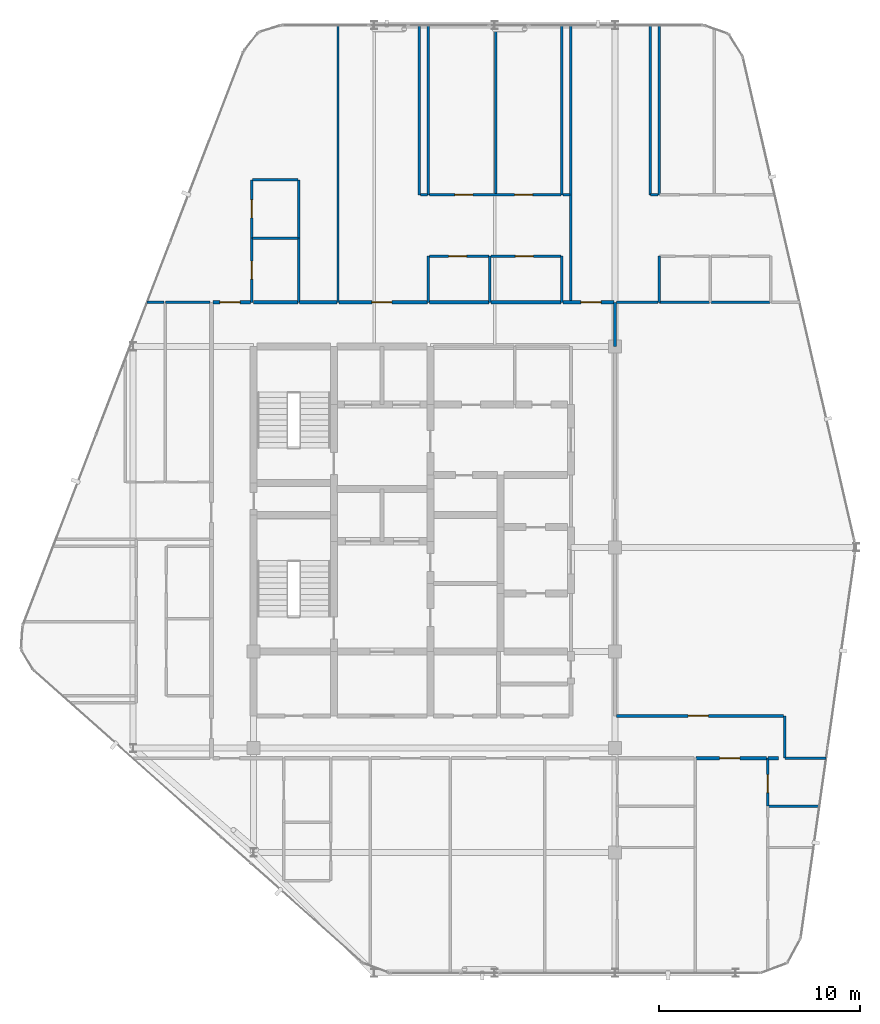
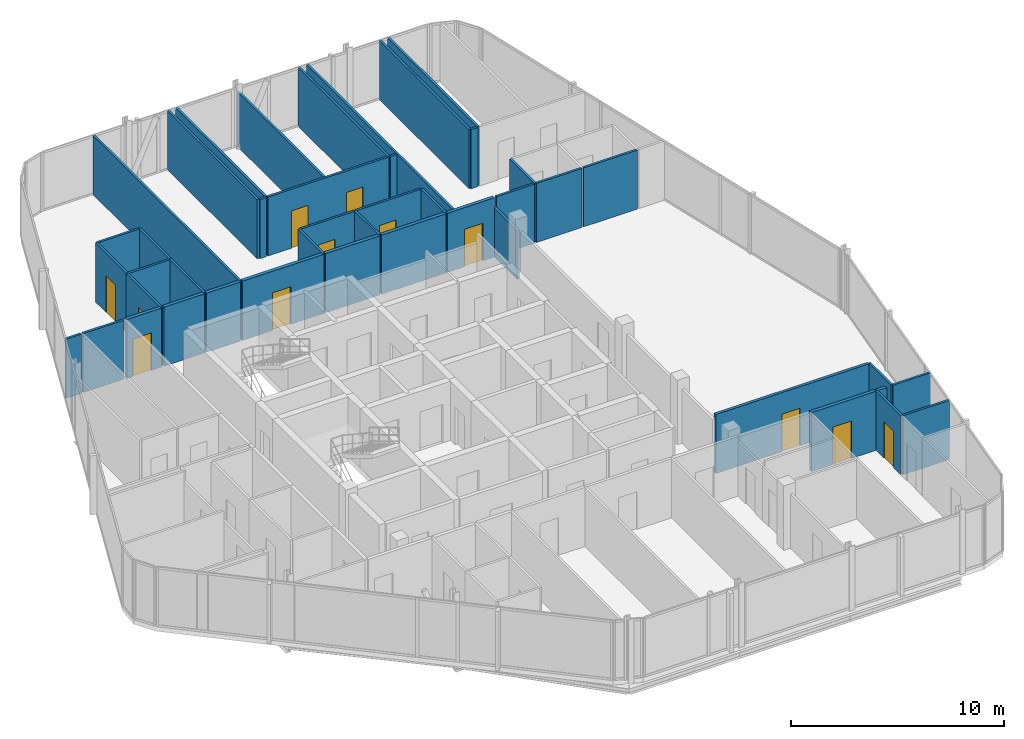
# One storey, part 25 of 27: 44 walls, 12 doors, 12 openings.
"""IFC4 building model written with IfcOpenShell, lengths in metres."""

from ifc_helpers import new_model, si_unit, direction, frame, frame_2d, origin, place, context, subcontext, project, spatial, rectangle, extrude, material, layer, layer_set, type_object, element, fill, save


model = new_model("IFC4")

# Units and contexts
model_context = context("Model", 3, precision=1e-05, world=origin(), true_north=direction((0.0, 1.0)))
body_context = subcontext(model_context, "Body", "Model", "MODEL_VIEW")
ifc_project = project(units=[si_unit("LENGTHUNIT", "METRE"), si_unit("AREAUNIT", "SQUARE_METRE"), si_unit("VOLUMEUNIT", "CUBIC_METRE"), si_unit("PLANEANGLEUNIT", "RADIAN"), si_unit("MASSUNIT", "GRAM", prefix="KILO")], contexts=[model_context])

# Site, building, storey
site_placement = place(None, origin())
site = spatial("IfcSite", under=ifc_project, at=site_placement, CompositionType="ELEMENT")
building_placement = place(site_placement, origin())
building = spatial("IfcBuilding", under=site, at=building_placement, Name="Keshet Zoharim Tower", CompositionType="ELEMENT")
storey_placement = place(building_placement, frame((0.0, 0.0, 288.0)))
storey = spatial("IfcBuildingStorey", under=building, at=storey_placement, Name="L72", CompositionType="ELEMENT", Elevation=288.0)

# Wall, opening, door
ifc_material_1 = material(Name="Gypsum Plasterboard", Category="gypsum")
ifc_layer_1 = layer(ifc_material_1, 0.14990234375)
ifc_layer_set_1 = layer_set([ifc_layer_1], Name="Gypsum Plasterboard")
wall_type_1 = type_object("IfcWallType", Name="WL-CLIN-150", PredefinedType="STANDARD", material=ifc_layer_set_1)
wall_1_placement = place(storey_placement, frame((33.06005859375, 19.5, 0.0), z_axis=(0.0, 0.0, 1.0), x_axis=(1.0, 0.0, 0.0)))
wall_1 = element("IfcWall", 1, at=wall_1_placement, inside=storey, type_object=wall_type_1, Name="L72 Interior Wall 104", PredefinedType="STANDARD", context=body_context, shape_type="SweptSolid", body=[
    extrude(rectangle(XDim=8.322998046875, YDim=0.14990234375, at=frame_2d((4.16162109375, 0.0))), origin(), (0.0, 0.0, 1.0), 3.389892578125),
])
opening_1_placement = place(wall_1_placement, frame((3.5830078125, 0.0, 0.0)))
opening_1 = element("IfcOpeningElement", 2, at=opening_1_placement, cuts=wall_1, Name="Opening D-F310", PredefinedType="OPENING", context=body_context, shape_type="SweptSolid", body=[
    extrude(rectangle(XDim=1.0, YDim=2.14990234375, at=frame_2d((0.5, 1.074951171875))), frame((0.0, 0.0849609375, 0.0), z_axis=(0.0, -1.0, 0.0), x_axis=(1.0, 0.0, 0.0)), (0.0, 0.0, 1.0), 0.169921875),
])
ifc_material_2 = material(Name="Hardwood Timber", Category="wood")
door_type_1 = type_object("IfcDoorType", Name="DR-FD30-100", OperationType="NOTDEFINED", PredefinedType="DOOR", material=ifc_material_2)
door_1_placement = place(opening_1_placement, origin())
door_1 = element("IfcDoor", 3, at=door_1_placement, inside=storey, type_object=door_type_1, Name="L72 North West Residents Services Suite Door 2", OperationType="SINGLE_SWING_LEFT", OverallHeight=2.14990234375, OverallWidth=1.0, PredefinedType="DOOR", context=body_context, shape_type="SweptSolid", body=[
    extrude(rectangle(XDim=1.0, YDim=2.14990234375, at=frame_2d((0.5, 1.074951171875))), frame((0.0, 0.02490234375, 0.0), z_axis=(0.0, -1.0, 0.0), x_axis=(1.0, 0.0, 0.0)), (0.0, 0.0, 1.0), 0.050048828125),
])
fill(opening_1, door_1)

# Wall
wall_2_placement = place(storey_placement, frame((33.0, 37.89990234375, 0.0), z_axis=(0.0, 0.0, 1.0), x_axis=(0.0, 1.0, 0.0)))
element("IfcWall", 4, at=wall_2_placement, inside=storey, type_object=wall_type_1, Name="L72 Interior Wall 066 Part 3", PredefinedType="STANDARD", context=body_context, shape_type="SweptSolid", body=[
    extrude(rectangle(XDim=2.2001953125, YDim=0.14990234375, at=frame_2d((1.10009765625, 0.0))), origin(), (0.0, 0.0, 1.0), 2.7900390625),
])

# Wall, opening, door
ifc_layer_2 = layer(ifc_material_1, 0.179931640625)
ifc_layer_set_2 = layer_set([ifc_layer_2], Name="Gypsum Plasterboard")
wall_type_2 = type_object("IfcWallType", Name="WL-CORR-180", PredefinedType="STANDARD", material=ifc_layer_set_2)
wall_3_placement = place(storey_placement, frame((37.02490234375, 17.39990234375, 0.0), z_axis=(0.0, 0.0, 1.0), x_axis=(1.0, 0.0, 0.0)))
wall_3 = element("IfcWall", 5, at=wall_3_placement, inside=storey, type_object=wall_type_2, Name="L72 Interior Wall 097", PredefinedType="STANDARD", context=body_context, shape_type="SweptSolid", body=[
    extrude(rectangle(XDim=3.510009765625, YDim=0.179931640625, at=frame_2d((1.7548828125, 0.0))), origin(), (0.0, 0.0, 1.0), 3.389892578125),
])
opening_2_placement = place(wall_3_placement, frame((1.18505859375, 0.0, 0.0)))
opening_2 = element("IfcOpeningElement", 6, at=opening_2_placement, cuts=wall_3, Name="Opening D-F310", PredefinedType="OPENING", context=body_context, shape_type="SweptSolid", body=[
    extrude(rectangle(XDim=1.0, YDim=2.14990234375, at=frame_2d((0.5, 1.074951171875))), frame((0.0, 0.10009765625, 0.0), z_axis=(0.0, -1.0, 0.0), x_axis=(1.0, 0.0, 0.0)), (0.0, 0.0, 1.0), 0.199951171875),
])
door_2_placement = place(opening_2_placement, origin())
door_2 = element("IfcDoor", 7, at=door_2_placement, inside=storey, type_object=door_type_1, Name="Apartment 7203 Entrance Door", OperationType="SINGLE_SWING_RIGHT", OverallHeight=2.14990234375, OverallWidth=1.0, PredefinedType="DOOR", context=body_context, shape_type="SweptSolid", body=[
    extrude(rectangle(XDim=1.0, YDim=2.14990234375, at=frame_2d((0.5, 1.074951171875))), frame((0.0, 0.02490234375, 0.0), z_axis=(0.0, -1.0, 0.0), x_axis=(1.0, 0.0, 0.0)), (0.0, 0.0, 1.0), 0.050048828125),
])
fill(opening_2, door_2)

# Wall
wall_4_placement = place(storey_placement, frame((40.625, 17.39990234375, 0.0), z_axis=(0.0, 0.0, 1.0), x_axis=(1.0, 0.0, 0.0)))
element("IfcWall", 8, at=wall_4_placement, inside=storey, type_object=wall_type_2, Name="L72 Interior Wall 098", PredefinedType="STANDARD", context=body_context, shape_type="SweptSolid", body=[
    extrude(rectangle(XDim=0.5048828125, YDim=0.179931640625, at=frame_2d((0.25244140625, 0.0))), origin(), (0.0, 0.0, 1.0), 3.389892578125),
])

# Wall, opening, door
wall_5_placement = place(storey_placement, frame((12.97509765625, 40.10009765625, 0.0), z_axis=(0.0, 0.0, 1.0), x_axis=(1.0, 0.0, 0.0)))
wall_5 = element("IfcWall", 9, at=wall_5_placement, inside=storey, type_object=wall_type_2, Name="L72 Interior Wall 140", PredefinedType="STANDARD", context=body_context, shape_type="SweptSolid", body=[
    extrude(rectangle(XDim=1.8798828125, YDim=0.179931640625, at=frame_2d((0.93994140625, 0.0))), origin(), (0.0, 0.0, 1.0), 3.389892578125),
])
opening_3_placement = place(wall_5_placement, frame((0.346923828125, 0.0, 0.0)))
opening_3 = element("IfcOpeningElement", 10, at=opening_3_placement, cuts=wall_5, Name="Opening D-F310", PredefinedType="OPENING", context=body_context, shape_type="SweptSolid", body=[
    extrude(rectangle(XDim=1.0, YDim=2.14990234375, at=frame_2d((0.5, 1.074951171875))), frame((0.0, 0.10009765625, 0.0), z_axis=(0.0, -1.0, 0.0), x_axis=(1.0, 0.0, 0.0)), (0.0, 0.0, 1.0), 0.199951171875),
])
door_3_placement = place(opening_3_placement, origin())
door_3 = element("IfcDoor", 11, at=door_3_placement, inside=storey, type_object=door_type_1, Name="Apartment 7204 Entrance Door", OperationType="SINGLE_SWING_RIGHT", OverallHeight=2.14990234375, OverallWidth=1.0, PredefinedType="DOOR", context=body_context, shape_type="SweptSolid", body=[
    extrude(rectangle(XDim=1.0, YDim=2.14990234375, at=frame_2d((0.5, 1.074951171875))), frame((0.0, 0.02490234375, 0.0), z_axis=(0.0, -1.0, 0.0), x_axis=(1.0, 0.0, 0.0)), (0.0, 0.0, 1.0), 0.050048828125),
])
fill(opening_3, door_3)

# Walls
wall_6_placement = place(storey_placement, frame((15.0, 40.10009765625, 0.0), z_axis=(0.0, 0.0, 1.0), x_axis=(1.0, 0.0, 0.0)))
element("IfcWall", 12, at=wall_6_placement, inside=storey, type_object=wall_type_2, Name="L72 Interior Wall 141", PredefinedType="STANDARD", context=body_context, shape_type="SweptSolid", body=[
    extrude(rectangle(XDim=2.205078125, YDim=0.179931640625, at=frame_2d((1.1025390625, 0.0))), origin(), (0.0, 0.0, 1.0), 3.389892578125),
])
wall_7_placement = place(storey_placement, frame((17.294921875, 40.10009765625, 0.0), z_axis=(0.0, 0.0, 1.0), x_axis=(1.0, 0.0, 0.0)))
element("IfcWall", 13, at=wall_7_placement, inside=storey, type_object=wall_type_2, Name="L72 Interior Wall 142", PredefinedType="STANDARD", context=body_context, shape_type="SweptSolid", body=[
    extrude(rectangle(XDim=1.860107421875, YDim=0.179931640625, at=frame_2d((0.93017578125, 0.0))), origin(), (0.0, 0.0, 1.0), 3.389892578125),
])

# Wall, opening, door
wall_8_placement = place(storey_placement, frame((19.2451171875, 40.10009765625, 0.0), z_axis=(0.0, 0.0, 1.0), x_axis=(1.0, 0.0, 0.0)))
wall_8 = element("IfcWall", 14, at=wall_8_placement, inside=storey, type_object=wall_type_2, Name="L72 Interior Wall 143", PredefinedType="STANDARD", context=body_context, shape_type="SweptSolid", body=[
    extrude(rectangle(XDim=4.419921875, YDim=0.179931640625, at=frame_2d((2.2099609375, 0.0))), origin(), (0.0, 0.0, 1.0), 3.389892578125),
])
opening_4_placement = place(wall_8_placement, frame((1.637939453125, 0.0, 0.0)))
opening_4 = element("IfcOpeningElement", 15, at=opening_4_placement, cuts=wall_8, Name="Opening D-F310", PredefinedType="OPENING", context=body_context, shape_type="SweptSolid", body=[
    extrude(rectangle(XDim=1.0, YDim=2.14990234375, at=frame_2d((0.5, 1.074951171875))), frame((0.0, 0.10009765625, 0.0), z_axis=(0.0, -1.0, 0.0), x_axis=(1.0, 0.0, 0.0)), (0.0, 0.0, 1.0), 0.199951171875),
])
door_4_placement = place(opening_4_placement, origin())
door_4 = element("IfcDoor", 16, at=door_4_placement, inside=storey, type_object=door_type_1, Name="Apartment 7205 Entrance Door", OperationType="SINGLE_SWING_LEFT", OverallHeight=2.14990234375, OverallWidth=1.0, PredefinedType="DOOR", context=body_context, shape_type="SweptSolid", body=[
    extrude(rectangle(XDim=1.0, YDim=2.14990234375, at=frame_2d((0.5, 1.074951171875))), frame((0.0, 0.02490234375, 0.0), z_axis=(0.0, -1.0, 0.0), x_axis=(1.0, 0.0, 0.0)), (0.0, 0.0, 1.0), 0.050048828125),
])
fill(opening_4, door_4)

# Walls
wall_9_placement = place(storey_placement, frame((23.7548828125, 40.10009765625, 0.0), z_axis=(0.0, 0.0, 1.0), x_axis=(1.0, 0.0, 0.0)))
element("IfcWall", 17, at=wall_9_placement, inside=storey, type_object=wall_type_2, Name="L72 Interior Wall 144", PredefinedType="STANDARD", context=body_context, shape_type="SweptSolid", body=[
    extrude(rectangle(XDim=2.964111328125, YDim=0.179931640625, at=frame_2d((1.48193359375, 0.0))), origin(), (0.0, 0.0, 1.0), 3.389892578125),
])
wall_10_placement = place(storey_placement, frame((26.80908203125, 40.10009765625, 0.0), z_axis=(0.0, 0.0, 1.0), x_axis=(1.0, 0.0, 0.0)))
element("IfcWall", 18, at=wall_10_placement, inside=storey, type_object=wall_type_2, Name="L72 Interior Wall 145", PredefinedType="STANDARD", context=body_context, shape_type="SweptSolid", body=[
    extrude(rectangle(XDim=3.495849609375, YDim=0.179931640625, at=frame_2d((1.748046875, 0.0))), origin(), (0.0, 0.0, 1.0), 3.389892578125),
])

# Wall, opening, door
wall_11_placement = place(storey_placement, frame((30.39501953125, 40.10009765625, 0.0), z_axis=(0.0, 0.0, 1.0), x_axis=(1.0, 0.0, 0.0)))
wall_11 = element("IfcWall", 19, at=wall_11_placement, inside=storey, type_object=wall_type_2, Name="L72 Interior Wall 146", PredefinedType="STANDARD", context=body_context, shape_type="SweptSolid", body=[
    extrude(rectangle(XDim=2.544921875, YDim=0.179931640625, at=frame_2d((1.2724609375, 0.0))), origin(), (0.0, 0.0, 1.0), 3.389892578125),
])
opening_5_placement = place(wall_11_placement, frame((0.906005859375, 0.0, 0.0)))
opening_5 = element("IfcOpeningElement", 20, at=opening_5_placement, cuts=wall_11, Name="Opening D-F310", PredefinedType="OPENING", context=body_context, shape_type="SweptSolid", body=[
    extrude(rectangle(XDim=1.0, YDim=2.14990234375, at=frame_2d((0.5, 1.074951171875))), frame((0.0, 0.10009765625, 0.0), z_axis=(0.0, -1.0, 0.0), x_axis=(1.0, 0.0, 0.0)), (0.0, 0.0, 1.0), 0.199951171875),
])
door_5_placement = place(opening_5_placement, origin())
door_5 = element("IfcDoor", 21, at=door_5_placement, inside=storey, type_object=door_type_1, Name="Apartment 7206 Entrance Door", OperationType="SINGLE_SWING_RIGHT", OverallHeight=2.14990234375, OverallWidth=1.0, PredefinedType="DOOR", context=body_context, shape_type="SweptSolid", body=[
    extrude(rectangle(XDim=1.0, YDim=2.14990234375, at=frame_2d((0.5, 1.074951171875))), frame((0.0, 0.02490234375, 0.0), z_axis=(0.0, -1.0, 0.0), x_axis=(1.0, 0.0, 0.0)), (0.0, 0.0, 1.0), 0.050048828125),
])
fill(opening_5, door_5)

ifc_layer_3 = layer(ifc_material_1, 0.1201171875)
ifc_layer_set_3 = layer_set([ifc_layer_3], Name="Gypsum Plasterboard")
wall_type_3 = type_object("IfcWallType", Name="WL-PART-120", PredefinedType="PARTITIONING", material=ifc_layer_set_3)
wall_12_placement = place(storey_placement, frame((14.89990234375, 40.10009765625, 0.0), z_axis=(0.0, 0.0, 1.0), x_axis=(0.0, 1.0, 0.0)))
wall_12 = element("IfcWall", 22, at=wall_12_placement, inside=storey, type_object=wall_type_3, Name="L72 Interior Wall 014", PredefinedType="PARTITIONING", context=body_context, shape_type="SweptSolid", body=[
    extrude(rectangle(XDim=3.199951171875, YDim=0.1201171875, at=frame_2d((1.60009765625, 0.0))), origin(), (0.0, 0.0, 1.0), 3.389892578125),
])
opening_6_placement = place(wall_12_placement, frame((1.14990234375, 0.0, 0.0)))
opening_6 = element("IfcOpeningElement", 23, at=opening_6_placement, cuts=wall_12, Name="Opening D-IN90", PredefinedType="OPENING", context=body_context, shape_type="SweptSolid", body=[
    extrude(rectangle(XDim=0.89990234375, YDim=2.14990234375, at=frame_2d((0.449951171875, 1.074951171875))), frame((0.0, 0.070068359375, 0.0), z_axis=(0.0, -1.0, 0.0), x_axis=(1.0, 0.0, 0.0)), (0.0, 0.0, 1.0), 0.14013671875),
])
door_type_2 = type_object("IfcDoorType", Name="DR-INT-090", OperationType="NOTDEFINED", PredefinedType="DOOR", material=ifc_material_2)
door_6_placement = place(opening_6_placement, origin())
door_6 = element("IfcDoor", 24, at=door_6_placement, inside=storey, type_object=door_type_2, Name="Apartment 7204 Kitchenette Door", OperationType="SINGLE_SWING_RIGHT", OverallHeight=2.14990234375, OverallWidth=0.89990234375, PredefinedType="DOOR", context=body_context, shape_type="SweptSolid", body=[
    extrude(rectangle(XDim=0.89990234375, YDim=2.14990234375, at=frame_2d((0.449951171875, 1.074951171875))), frame((0.0, 0.02490234375, 0.0), z_axis=(0.0, -1.0, 0.0), x_axis=(1.0, 0.0, 0.0)), (0.0, 0.0, 1.0), 0.050048828125),
])
fill(opening_6, door_6)

# Walls
wall_13_placement = place(storey_placement, frame((17.25, 40.10009765625, 0.0), z_axis=(0.0, 0.0, 1.0), x_axis=(0.0, 1.0, 0.0)))
element("IfcWall", 25, at=wall_13_placement, inside=storey, type_object=wall_type_3, Name="L72 Interior Wall 022", PredefinedType="PARTITIONING", context=body_context, shape_type="SweptSolid", body=[
    extrude(rectangle(XDim=3.199951171875, YDim=0.1201171875, at=frame_2d((1.60009765625, 0.0))), origin(), (0.0, 0.0, 1.0), 3.389892578125),
])
wall_14_placement = place(storey_placement, frame((19.199951171875, 40.10009765625, 0.0), z_axis=(0.0, 0.0, 1.0), x_axis=(0.0, 1.0, 0.0)))
element("IfcWall", 26, at=wall_14_placement, inside=storey, type_object=wall_type_3, Name="L72 Interior Wall 031", PredefinedType="PARTITIONING", context=body_context, shape_type="SweptSolid", body=[
    extrude(rectangle(XDim=13.789794921875, YDim=0.1201171875, at=frame_2d((6.89501953125, 0.0))), origin(), (0.0, 0.0, 1.0), 3.389892578125),
])
wall_15_placement = place(storey_placement, frame((23.25, 45.449951171875, 0.0), z_axis=(0.0, 0.0, 1.0), x_axis=(0.0, 1.0, 0.0)))
element("IfcWall", 27, at=wall_15_placement, inside=storey, type_object=wall_type_3, Name="L72 Interior Wall 035", PredefinedType="PARTITIONING", context=body_context, shape_type="SweptSolid", body=[
    extrude(rectangle(XDim=8.43994140625, YDim=0.1201171875, at=frame_2d((4.219970703125, 0.0))), origin(), (0.0, 0.0, 1.0), 3.389892578125),
])
wall_16_placement = place(storey_placement, frame((23.699951171875, 40.10009765625, 0.0), z_axis=(0.0, 0.0, 1.0), x_axis=(0.0, 1.0, 0.0)))
element("IfcWall", 28, at=wall_16_placement, inside=storey, type_object=wall_type_3, Name="L72 Interior Wall 036", PredefinedType="PARTITIONING", context=body_context, shape_type="SweptSolid", body=[
    extrude(rectangle(XDim=2.2998046875, YDim=0.1201171875, at=frame_2d((1.14990234375, 0.0))), origin(), (0.0, 0.0, 1.0), 3.389892578125),
])
wall_17_placement = place(storey_placement, frame((23.699951171875, 45.449951171875, 0.0), z_axis=(0.0, 0.0, 1.0), x_axis=(0.0, 1.0, 0.0)))
element("IfcWall", 29, at=wall_17_placement, inside=storey, type_object=wall_type_3, Name="L72 Interior Wall 037", PredefinedType="PARTITIONING", context=body_context, shape_type="SweptSolid", body=[
    extrude(rectangle(XDim=8.43994140625, YDim=0.1201171875, at=frame_2d((4.219970703125, 0.0))), origin(), (0.0, 0.0, 1.0), 3.389892578125),
])
wall_18_placement = place(storey_placement, frame((27.050048828125, 45.449951171875, 0.0), z_axis=(0.0, 0.0, 1.0), x_axis=(0.0, 1.0, 0.0)))
element("IfcWall", 30, at=wall_18_placement, inside=storey, type_object=wall_type_3, Name="L72 Interior Wall 047", PredefinedType="PARTITIONING", context=body_context, shape_type="SweptSolid", body=[
    extrude(rectangle(XDim=8.43994140625, YDim=0.1201171875, at=frame_2d((4.219970703125, 0.0))), origin(), (0.0, 0.0, 1.0), 3.14990234375),
])
wall_19_placement = place(storey_placement, frame((30.35009765625, 45.449951171875, 0.0), z_axis=(0.0, 0.0, 1.0), x_axis=(0.0, 1.0, 0.0)))
element("IfcWall", 31, at=wall_19_placement, inside=storey, type_object=wall_type_3, Name="L72 Interior Wall 057", PredefinedType="PARTITIONING", context=body_context, shape_type="SweptSolid", body=[
    extrude(rectangle(XDim=8.43994140625, YDim=0.1201171875, at=frame_2d((4.219970703125, 0.0))), origin(), (0.0, 0.0, 1.0), 3.389892578125),
])
wall_20_placement = place(storey_placement, frame((30.800048828125, 40.10009765625, 0.0), z_axis=(0.0, 0.0, 1.0), x_axis=(0.0, 1.0, 0.0)))
element("IfcWall", 32, at=wall_20_placement, inside=storey, type_object=wall_type_3, Name="L72 Interior Wall 065", PredefinedType="PARTITIONING", context=body_context, shape_type="SweptSolid", body=[
    extrude(rectangle(XDim=13.789794921875, YDim=0.1201171875, at=frame_2d((6.89501953125, 0.0))), origin(), (0.0, 0.0, 1.0), 3.389892578125),
])
wall_21_placement = place(storey_placement, frame((34.75, 45.449951171875, 0.0), z_axis=(0.0, 0.0, 1.0), x_axis=(0.0, 1.0, 0.0)))
element("IfcWall", 33, at=wall_21_placement, inside=storey, type_object=wall_type_3, Name="L72 Interior Wall 070", PredefinedType="PARTITIONING", context=body_context, shape_type="SweptSolid", body=[
    extrude(rectangle(XDim=8.43994140625, YDim=0.1201171875, at=frame_2d((4.219970703125, 0.0))), origin(), (0.0, 0.0, 1.0), 3.389892578125),
])
wall_22_placement = place(storey_placement, frame((35.199951171875, 40.10009765625, 0.0), z_axis=(0.0, 0.0, 1.0), x_axis=(0.0, 1.0, 0.0)))
element("IfcWall", 34, at=wall_22_placement, inside=storey, type_object=wall_type_3, Name="L72 Interior Wall 071", PredefinedType="PARTITIONING", context=body_context, shape_type="SweptSolid", body=[
    extrude(rectangle(XDim=2.2998046875, YDim=0.1201171875, at=frame_2d((1.14990234375, 0.0))), origin(), (0.0, 0.0, 1.0), 3.389892578125),
])
wall_23_placement = place(storey_placement, frame((35.199951171875, 45.449951171875, 0.0), z_axis=(0.0, 0.0, 1.0), x_axis=(0.0, 1.0, 0.0)))
element("IfcWall", 35, at=wall_23_placement, inside=storey, type_object=wall_type_3, Name="L72 Interior Wall 072", PredefinedType="PARTITIONING", context=body_context, shape_type="SweptSolid", body=[
    extrude(rectangle(XDim=8.43994140625, YDim=0.1201171875, at=frame_2d((4.219970703125, 0.0))), origin(), (0.0, 0.0, 1.0), 3.389892578125),
])
wall_24_placement = place(storey_placement, frame((41.449951171875, 17.39990234375, 0.0), z_axis=(0.0, 0.0, 1.0), x_axis=(0.0, 1.0, 0.0)))
element("IfcWall", 36, at=wall_24_placement, inside=storey, type_object=wall_type_3, Name="L72 Interior Wall 082", PredefinedType="PARTITIONING", context=body_context, shape_type="SweptSolid", body=[
    extrude(rectangle(XDim=2.09912109375, YDim=0.1201171875, at=frame_2d((1.049560546875, 0.0))), origin(), (0.0, 0.0, 1.0), 3.389892578125),
])
wall_25_placement = place(storey_placement, frame((9.701904296875, 40.10009765625, 0.0), z_axis=(0.0, 0.0, 1.0), x_axis=(1.0, 0.0, 0.0)))
element("IfcWall", 37, at=wall_25_placement, inside=storey, type_object=wall_type_3, Name="L72 Interior Wall 138", PredefinedType="PARTITIONING", context=body_context, shape_type="SweptSolid", body=[
    extrude(rectangle(XDim=0.8310546875, YDim=0.1201171875, at=frame_2d((0.41552734375, 0.0))), origin(), (0.0, 0.0, 1.0), 3.389892578125),
])
wall_26_placement = place(storey_placement, frame((33.06005859375, 40.10009765625, 0.0), z_axis=(0.0, 0.0, 1.0), x_axis=(1.0, 0.0, 0.0)))
element("IfcWall", 38, at=wall_26_placement, inside=storey, type_object=wall_type_3, Name="L72 Interior Wall 147", PredefinedType="PARTITIONING", context=body_context, shape_type="SweptSolid", body=[
    extrude(rectangle(XDim=2.074951171875, YDim=0.1201171875, at=frame_2d((1.03759765625, 0.0))), origin(), (0.0, 0.0, 1.0), 3.389892578125),
])
wall_27_placement = place(storey_placement, frame((35.22509765625, 40.10009765625, 0.0), z_axis=(0.0, 0.0, 1.0), x_axis=(1.0, 0.0, 0.0)))
element("IfcWall", 39, at=wall_27_placement, inside=storey, type_object=wall_type_3, Name="L72 Interior Wall 148", PredefinedType="PARTITIONING", context=body_context, shape_type="SweptSolid", body=[
    extrude(rectangle(XDim=2.472900390625, YDim=0.1201171875, at=frame_2d((1.236328125, 0.0))), origin(), (0.0, 0.0, 1.0), 3.389892578125),
])

# Wall, opening, door
wall_28_placement = place(storey_placement, frame((23.7548828125, 42.39990234375, 0.0), z_axis=(0.0, 0.0, 1.0), x_axis=(1.0, 0.0, 0.0)))
wall_28 = element("IfcWall", 40, at=wall_28_placement, inside=storey, type_object=wall_type_3, Name="L72 Interior Wall 151", PredefinedType="PARTITIONING", context=body_context, shape_type="SweptSolid", body=[
    extrude(rectangle(XDim=2.964111328125, YDim=0.1201171875, at=frame_2d((1.48193359375, 0.0))), origin(), (0.0, 0.0, 1.0), 3.389892578125),
])
opening_7_placement = place(wall_28_placement, frame((0.9580078125, 0.0, 0.0)))
opening_7 = element("IfcOpeningElement", 41, at=opening_7_placement, cuts=wall_28, Name="Opening D-IN90", PredefinedType="OPENING", context=body_context, shape_type="SweptSolid", body=[
    extrude(rectangle(XDim=0.89990234375, YDim=2.14990234375, at=frame_2d((0.449951171875, 1.074951171875))), frame((0.0, 0.070068359375, 0.0), z_axis=(0.0, -1.0, 0.0), x_axis=(1.0, 0.0, 0.0)), (0.0, 0.0, 1.0), 0.14013671875),
])
door_7_placement = place(opening_7_placement, origin())
door_7 = element("IfcDoor", 42, at=door_7_placement, inside=storey, type_object=door_type_2, Name="Apartment 7205 Kitchen Door", OperationType="SINGLE_SWING_LEFT", OverallHeight=2.14990234375, OverallWidth=0.89990234375, PredefinedType="DOOR", context=body_context, shape_type="SweptSolid", body=[
    extrude(rectangle(XDim=0.89990234375, YDim=2.14990234375, at=frame_2d((0.449951171875, 1.074951171875))), frame((0.0, 0.02490234375, 0.0), z_axis=(0.0, -1.0, 0.0), x_axis=(1.0, 0.0, 0.0)), (0.0, 0.0, 1.0), 0.050048828125),
])
fill(opening_7, door_7)

# Wall
wall_29_placement = place(storey_placement, frame((23.304931640625, 45.449951171875, 0.0), z_axis=(0.0, 0.0, 1.0), x_axis=(1.0, 0.0, 0.0)))
element("IfcWall", 43, at=wall_29_placement, inside=storey, type_object=wall_type_3, Name="L72 Interior Wall 156", PredefinedType="PARTITIONING", context=body_context, shape_type="SweptSolid", body=[
    extrude(rectangle(XDim=0.360107421875, YDim=0.1201171875, at=frame_2d((0.18017578125, 0.0))), origin(), (0.0, 0.0, 1.0), 3.389892578125),
])

# Wall, openings, doors
wall_30_placement = place(storey_placement, frame((23.7548828125, 45.449951171875, 0.0), z_axis=(0.0, 0.0, 1.0), x_axis=(1.0, 0.0, 0.0)))
wall_30 = element("IfcWall", 44, at=wall_30_placement, inside=storey, type_object=wall_type_3, Name="L72 Interior Wall 157", PredefinedType="PARTITIONING", context=body_context, shape_type="SweptSolid", body=[
    extrude(rectangle(XDim=6.550048828125, YDim=0.1201171875, at=frame_2d((3.27490234375, 0.0))), origin(), (0.0, 0.0, 1.0), 3.389892578125),
])
opening_8_placement = place(wall_30_placement, frame((1.26806640625, 0.0, 0.0)))
opening_8 = element("IfcOpeningElement", 45, at=opening_8_placement, cuts=wall_30, Name="Opening D-IN90", PredefinedType="OPENING", context=body_context, shape_type="SweptSolid", body=[
    extrude(rectangle(XDim=0.89990234375, YDim=2.14990234375, at=frame_2d((0.449951171875, 1.074951171875))), frame((0.0, 0.070068359375, 0.0), z_axis=(0.0, -1.0, 0.0), x_axis=(1.0, 0.0, 0.0)), (0.0, 0.0, 1.0), 0.14013671875),
])
opening_9_placement = place(wall_30_placement, frame((4.238037109375, 0.0, 0.0)))
opening_9 = element("IfcOpeningElement", 46, at=opening_9_placement, cuts=wall_30, Name="Opening D-IN90", PredefinedType="OPENING", context=body_context, shape_type="SweptSolid", body=[
    extrude(rectangle(XDim=0.89990234375, YDim=2.14990234375, at=frame_2d((0.449951171875, 1.074951171875))), frame((0.0, 0.070068359375, 0.0), z_axis=(0.0, -1.0, 0.0), x_axis=(1.0, 0.0, 0.0)), (0.0, 0.0, 1.0), 0.14013671875),
])
door_8_placement = place(opening_8_placement, origin())
door_8 = element("IfcDoor", 47, at=door_8_placement, inside=storey, type_object=door_type_2, Name="Apartment 7205 Bedroom 1 Door", OperationType="SINGLE_SWING_LEFT", OverallHeight=2.14990234375, OverallWidth=0.89990234375, PredefinedType="DOOR", context=body_context, shape_type="SweptSolid", body=[
    extrude(rectangle(XDim=0.89990234375, YDim=2.14990234375, at=frame_2d((0.449951171875, 1.074951171875))), frame((0.0, 0.02490234375, 0.0), z_axis=(0.0, -1.0, 0.0), x_axis=(1.0, 0.0, 0.0)), (0.0, 0.0, 1.0), 0.050048828125),
])
fill(opening_8, door_8)
door_9_placement = place(opening_9_placement, origin())
door_9 = element("IfcDoor", 48, at=door_9_placement, inside=storey, type_object=door_type_2, Name="Apartment 7205 Bedroom 2 Door", OperationType="SINGLE_SWING_RIGHT", OverallHeight=2.14990234375, OverallWidth=0.89990234375, PredefinedType="DOOR", context=body_context, shape_type="SweptSolid", body=[
    extrude(rectangle(XDim=0.89990234375, YDim=2.14990234375, at=frame_2d((0.449951171875, 1.074951171875))), frame((0.0, 0.02490234375, 0.0), z_axis=(0.0, -1.0, 0.0), x_axis=(1.0, 0.0, 0.0)), (0.0, 0.0, 1.0), 0.050048828125),
])
fill(opening_9, door_9)

# Walls
wall_31_placement = place(storey_placement, frame((30.39501953125, 45.449951171875, 0.0), z_axis=(0.0, 0.0, 1.0), x_axis=(1.0, 0.0, 0.0)))
element("IfcWall", 49, at=wall_31_placement, inside=storey, type_object=wall_type_3, Name="L72 Interior Wall 158", PredefinedType="PARTITIONING", context=body_context, shape_type="SweptSolid", body=[
    extrude(rectangle(XDim=0.35986328125, YDim=0.1201171875, at=frame_2d((0.179931640625, 0.0))), origin(), (0.0, 0.0, 1.0), 3.389892578125),
])
wall_32_placement = place(storey_placement, frame((34.77490234375, 45.449951171875, 0.0), z_axis=(0.0, 0.0, 1.0), x_axis=(1.0, 0.0, 0.0)))
element("IfcWall", 50, at=wall_32_placement, inside=storey, type_object=wall_type_3, Name="L72 Interior Wall 159", PredefinedType="PARTITIONING", context=body_context, shape_type="SweptSolid", body=[
    extrude(rectangle(XDim=0.360107421875, YDim=0.1201171875, at=frame_2d((0.18017578125, 0.0))), origin(), (0.0, 0.0, 1.0), 3.389892578125),
])

# Wall, opening, door
ifc_layer_4 = layer(ifc_material_1, 0.1201171875)
ifc_layer_set_4 = layer_set([ifc_layer_4], Name="Gypsum Plasterboard")
wall_type_4 = type_object("IfcWallType", Name="WL-WET-120", PredefinedType="PARTITIONING", material=ifc_layer_set_4)
wall_33_placement = place(storey_placement, frame((14.89990234375, 43.300048828125, 0.0), z_axis=(0.0, 0.0, 1.0), x_axis=(0.0, 1.0, 0.0)))
wall_33 = element("IfcWall", 51, at=wall_33_placement, inside=storey, type_object=wall_type_4, Name="L72 Interior Wall 015", PredefinedType="PARTITIONING", context=body_context, shape_type="SweptSolid", body=[
    extrude(rectangle(XDim=2.89990234375, YDim=0.1201171875, at=frame_2d((1.449951171875, 0.0))), origin(), (0.0, 0.0, 1.0), 3.389892578125),
])
opening_10_placement = place(wall_33_placement, frame((1.0, 0.0, 0.0)))
opening_10 = element("IfcOpeningElement", 52, at=opening_10_placement, cuts=wall_33, Name="Opening D-WT90", PredefinedType="OPENING", context=body_context, shape_type="SweptSolid", body=[
    extrude(rectangle(XDim=0.89990234375, YDim=2.10009765625, at=frame_2d((0.449951171875, 1.050048828125))), frame((0.0, 0.070068359375, 0.0), z_axis=(0.0, -1.0, 0.0), x_axis=(1.0, 0.0, 0.0)), (0.0, 0.0, 1.0), 0.14013671875),
])
door_type_3 = type_object("IfcDoorType", Name="DR-WET-090", OperationType="NOTDEFINED", PredefinedType="DOOR", material=ifc_material_2)
door_10_placement = place(opening_10_placement, origin())
door_10 = element("IfcDoor", 53, at=door_10_placement, inside=storey, type_object=door_type_3, Name="Apartment 7204 Bathroom Door", OperationType="SINGLE_SWING_LEFT", OverallHeight=2.10009765625, OverallWidth=0.89990234375, PredefinedType="DOOR", context=body_context, shape_type="SweptSolid", body=[
    extrude(rectangle(XDim=0.89990234375, YDim=2.10009765625, at=frame_2d((0.449951171875, 1.050048828125))), frame((0.0, 0.02490234375, 0.0), z_axis=(0.0, -1.0, 0.0), x_axis=(1.0, 0.0, 0.0)), (0.0, 0.0, 1.0), 0.050048828125),
])
fill(opening_10, door_10)

# Walls
wall_34_placement = place(storey_placement, frame((17.25, 43.300048828125, 0.0), z_axis=(0.0, 0.0, 1.0), x_axis=(0.0, 1.0, 0.0)))
element("IfcWall", 54, at=wall_34_placement, inside=storey, type_object=wall_type_4, Name="L72 Interior Wall 023", PredefinedType="PARTITIONING", context=body_context, shape_type="SweptSolid", body=[
    extrude(rectangle(XDim=2.89990234375, YDim=0.1201171875, at=frame_2d((1.449951171875, 0.0))), origin(), (0.0, 0.0, 1.0), 3.389892578125),
])
for number, where, z_axis, x_axis, name in (
    (55, (26.75, 40.10009765625, 0.0), (0.0, 0.0, 1.0), (0.0, 1.0, 0.0), "L72 Interior Wall 046"),
    (56, (30.35009765625, 40.10009765625, 0.0), (0.0, 0.0, 1.0), (0.0, 1.0, 0.0), "L72 Interior Wall 056"),
):
    element("IfcWall", number, at=place(storey_placement, frame(where, z_axis=z_axis, x_axis=x_axis)), inside=storey, type_object=wall_type_4, Name=name, PredefinedType="PARTITIONING", context=body_context, shape_type="SweptSolid", body=[
        extrude(rectangle(XDim=2.2998046875, YDim=0.1201171875, at=frame_2d((1.14990234375, 0.0))), origin(), (0.0, 0.0, 1.0), 3.389892578125),
    ])

# Wall, opening, door
wall_35_placement = place(storey_placement, frame((40.60009765625, 15.008056640625, 0.0), z_axis=(0.0, 0.0, 1.0), x_axis=(0.0, 1.0, 0.0)))
wall_35 = element("IfcWall", 57, at=wall_35_placement, inside=storey, type_object=wall_type_4, Name="L72 Interior Wall 080", PredefinedType="PARTITIONING", context=body_context, shape_type="SweptSolid", body=[
    extrude(rectangle(XDim=2.391845703125, YDim=0.1201171875, at=frame_2d((1.19580078125, 0.0))), origin(), (0.0, 0.0, 1.0), 3.389892578125),
])
opening_11_placement = place(wall_35_placement, frame((0.675048828125, 0.0, 0.0)))
opening_11 = element("IfcOpeningElement", 58, at=opening_11_placement, cuts=wall_35, Name="Opening D-WT90", PredefinedType="OPENING", context=body_context, shape_type="SweptSolid", body=[
    extrude(rectangle(XDim=0.89990234375, YDim=2.10009765625, at=frame_2d((0.449951171875, 1.050048828125))), frame((0.0, 0.070068359375, 0.0), z_axis=(0.0, -1.0, 0.0), x_axis=(1.0, 0.0, 0.0)), (0.0, 0.0, 1.0), 0.14013671875),
])
door_11_placement = place(opening_11_placement, origin())
door_11 = element("IfcDoor", 59, at=door_11_placement, inside=storey, type_object=door_type_3, Name="Apartment 7203 Bathroom Door", OperationType="SINGLE_SWING_LEFT", OverallHeight=2.10009765625, OverallWidth=0.89990234375, PredefinedType="DOOR", context=body_context, shape_type="SweptSolid", body=[
    extrude(rectangle(XDim=0.89990234375, YDim=2.10009765625, at=frame_2d((0.449951171875, 1.050048828125))), frame((0.0, 0.02490234375, 0.0), z_axis=(0.0, -1.0, 0.0), x_axis=(1.0, 0.0, 0.0)), (0.0, 0.0, 1.0), 0.050048828125),
])
fill(opening_11, door_11)

# Walls
wall_36_placement = place(storey_placement, frame((40.625, 15.0, 0.0), z_axis=(0.0, 0.0, 1.0), x_axis=(1.0, 0.0, 0.0)))
element("IfcWall", 60, at=wall_36_placement, inside=storey, type_object=wall_type_4, Name="L72 Interior Wall 088", PredefinedType="PARTITIONING", context=body_context, shape_type="SweptSolid", body=[
    extrude(rectangle(XDim=2.5390625, YDim=0.1201171875, at=frame_2d((1.26953125, 0.0))), origin(), (0.0, 0.0, 1.0), 3.389892578125),
])
wall_37_placement = place(storey_placement, frame((41.472900390625, 17.39990234375, 0.0), z_axis=(0.0, 0.0, 1.0), x_axis=(1.0, 0.0, 0.0)))
element("IfcWall", 61, at=wall_37_placement, inside=storey, type_object=wall_type_4, Name="L72 Interior Wall 099", PredefinedType="PARTITIONING", context=body_context, shape_type="SweptSolid", body=[
    extrude(rectangle(XDim=2.031005859375, YDim=0.1201171875, at=frame_2d((1.015625, 0.0))), origin(), (0.0, 0.0, 1.0), 3.389892578125),
])
wall_38_placement = place(storey_placement, frame((10.623046875, 40.10009765625, 0.0), z_axis=(0.0, 0.0, 1.0), x_axis=(1.0, 0.0, 0.0)))
element("IfcWall", 62, at=wall_38_placement, inside=storey, type_object=wall_type_4, Name="L72 Interior Wall 139", PredefinedType="PARTITIONING", context=body_context, shape_type="SweptSolid", body=[
    extrude(rectangle(XDim=2.201904296875, YDim=0.1201171875, at=frame_2d((1.10107421875, 0.0))), origin(), (0.0, 0.0, 1.0), 3.389892578125),
])
wall_39_placement = place(storey_placement, frame((37.7880859375, 40.10009765625, 0.0), z_axis=(0.0, 0.0, 1.0), x_axis=(1.0, 0.0, 0.0)))
element("IfcWall", 63, at=wall_39_placement, inside=storey, type_object=wall_type_4, Name="L72 Interior Wall 149", PredefinedType="PARTITIONING", context=body_context, shape_type="SweptSolid", body=[
    extrude(rectangle(XDim=2.91796875, YDim=0.1201171875, at=frame_2d((1.458984375, 0.0))), origin(), (0.0, 0.0, 1.0), 3.389892578125),
])

# Wall, opening, door
wall_40_placement = place(storey_placement, frame((26.80908203125, 42.39990234375, 0.0), z_axis=(0.0, 0.0, 1.0), x_axis=(1.0, 0.0, 0.0)))
wall_40 = element("IfcWall", 64, at=wall_40_placement, inside=storey, type_object=wall_type_4, Name="L72 Interior Wall 152", PredefinedType="PARTITIONING", context=body_context, shape_type="SweptSolid", body=[
    extrude(rectangle(XDim=3.495849609375, YDim=0.1201171875, at=frame_2d((1.748046875, 0.0))), origin(), (0.0, 0.0, 1.0), 3.389892578125),
])
opening_12_placement = place(wall_40_placement, frame((1.22509765625, 0.0, 0.0)))
opening_12 = element("IfcOpeningElement", 65, at=opening_12_placement, cuts=wall_40, Name="Opening D-WT90", PredefinedType="OPENING", context=body_context, shape_type="SweptSolid", body=[
    extrude(rectangle(XDim=0.89990234375, YDim=2.10009765625, at=frame_2d((0.449951171875, 1.050048828125))), frame((0.0, 0.070068359375, 0.0), z_axis=(0.0, -1.0, 0.0), x_axis=(1.0, 0.0, 0.0)), (0.0, 0.0, 1.0), 0.14013671875),
])
door_12_placement = place(opening_12_placement, origin())
door_12 = element("IfcDoor", 66, at=door_12_placement, inside=storey, type_object=door_type_3, Name="Apartment 7205 Bathroom Door", OperationType="SINGLE_SWING_RIGHT", OverallHeight=2.10009765625, OverallWidth=0.89990234375, PredefinedType="DOOR", context=body_context, shape_type="SweptSolid", body=[
    extrude(rectangle(XDim=0.89990234375, YDim=2.10009765625, at=frame_2d((0.449951171875, 1.050048828125))), frame((0.0, 0.02490234375, 0.0), z_axis=(0.0, -1.0, 0.0), x_axis=(1.0, 0.0, 0.0)), (0.0, 0.0, 1.0), 0.050048828125),
])
fill(opening_12, door_12)

# Walls
for number, where, z_axis, x_axis, name in (
    (67, (14.945068359375, 43.300048828125, 0.0), (0.0, 0.0, 1.0), (1.0, 0.0, 0.0), "L72 Interior Wall 155"),
    (68, (14.945068359375, 46.199951171875, 0.0), (0.0, 0.0, 1.0), (1.0, 0.0, 0.0), "L72 Interior Wall 161"),
):
    element("IfcWall", number, at=place(storey_placement, frame(where, z_axis=z_axis, x_axis=x_axis)), inside=storey, type_object=wall_type_4, Name=name, PredefinedType="PARTITIONING", context=body_context, shape_type="SweptSolid", body=[
        extrude(rectangle(XDim=2.260009765625, YDim=0.1201171875, at=frame_2d((1.1298828125, 0.0))), origin(), (0.0, 0.0, 1.0), 3.389892578125),
    ])

save(model, "model.ifc")
